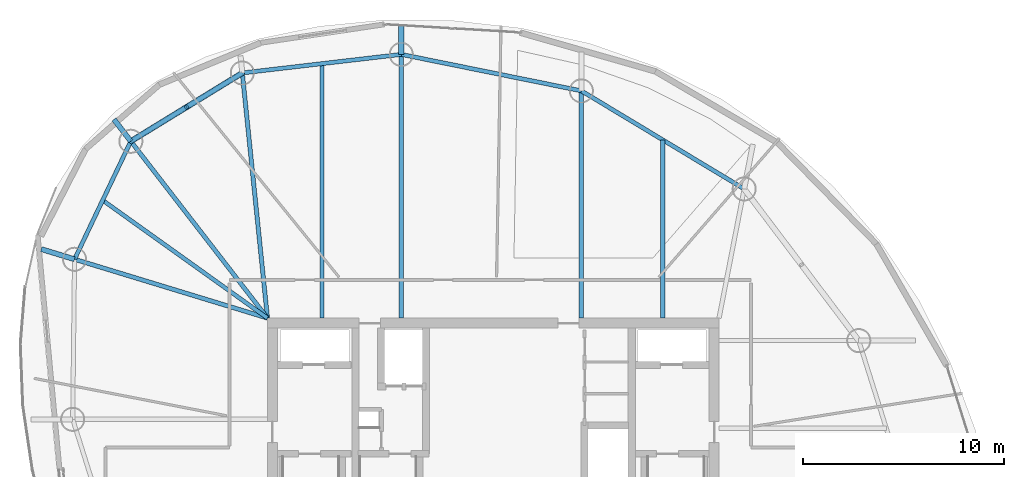
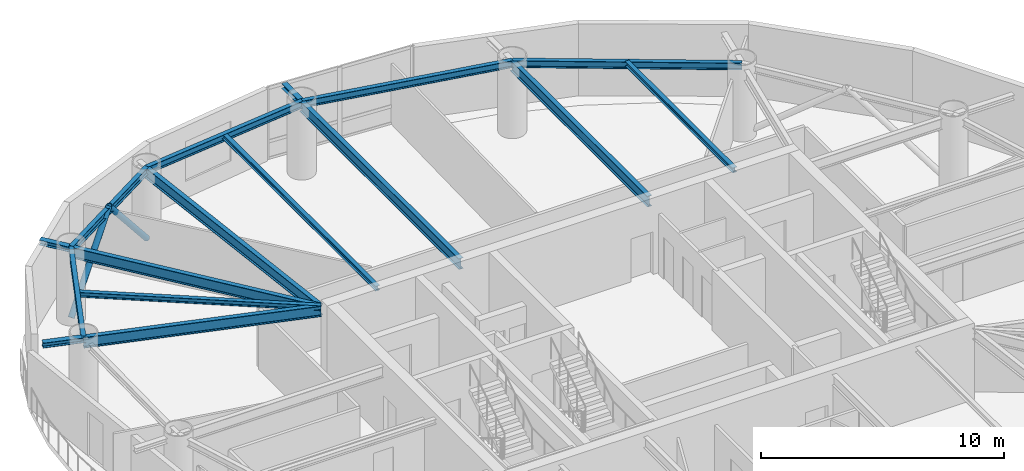
# One storey, part 10 of 18: 16 beams, 2 members.
"""IFC4 building model written with IfcOpenShell, lengths in metres."""

from ifc_helpers import new_model, si_unit, direction, frame, origin, origin_2d, place, context, subcontext, project, spatial, hollow_circle, i_section, extrude, material, material_profile, profile_set, type_object, element, save


model = new_model("IFC4")

# Units and contexts
model_context = context("Model", 3, precision=1e-05, world=origin(), true_north=direction((0.0, 1.0)))
body_context = subcontext(model_context, "Body", "Model", "MODEL_VIEW")
ifc_project = project(units=[si_unit("LENGTHUNIT", "METRE"), si_unit("AREAUNIT", "SQUARE_METRE"), si_unit("VOLUMEUNIT", "CUBIC_METRE"), si_unit("PLANEANGLEUNIT", "RADIAN"), si_unit("MASSUNIT", "GRAM", prefix="KILO")], contexts=[model_context])

# Site, building, storey
site_placement = place(None, origin())
site = spatial("IfcSite", under=ifc_project, at=site_placement, CompositionType="ELEMENT")
building_placement = place(site_placement, origin())
building = spatial("IfcBuilding", under=site, at=building_placement, Name="Bramvorn Convention Spire", CompositionType="ELEMENT")
storey_placement = place(building_placement, frame((0.0, 0.0, 182.75)))
storey = spatial("IfcBuildingStorey", under=building, at=storey_placement, Name="L46", CompositionType="ELEMENT", Elevation=182.75)

# Beams
ifc_material = material(Name="Steel CSA G40.21 Grade 350 (350W)", Category="steel")
ifc_material_profile_1 = material_profile(ifc_material, i_section(OverallWidth=0.201904296875, OverallDepth=0.2470703125, WebThickness=0.00732421875, FlangeThickness=0.010986328125, FilletRadius=0.011962890625, at=origin_2d()))
ifc_profile_set_1 = profile_set([ifc_material_profile_1], Name="Steel CSA G40.21 Grade 350 (350W) - W250X49")
beam_type_1 = type_object("IfcBeamType", Name="BM-W250X49", PredefinedType="JOIST", material=ifc_profile_set_1)
beam_1_placement = place(storey_placement, frame((46.445556640625, 33.449951171875, 3.49658203125), z_axis=(0.0, 1.0, 0.0), x_axis=(-1.0, 0.0, 0.0)))
element("IfcBeam", 1, at=beam_1_placement, inside=storey, type_object=beam_type_1, Name="L46 composite floor joist 05", PredefinedType="JOIST", context=body_context, shape_type="SweptSolid", body=[
    extrude(i_section(OverallWidth=0.201904296875, OverallDepth=0.2470703125, WebThickness=0.00732421875, FlangeThickness=0.010986328125, FilletRadius=0.011962890625, at=origin_2d()), origin(), (0.0, 0.0, 1.0), 8.878662109375),
])
beam_2_placement = place(storey_placement, frame((29.455810546875, 33.449951171875, 3.49658203125), z_axis=(0.0, 1.0, 0.0), x_axis=(-1.0, 0.0, 0.0)))
element("IfcBeam", 2, at=beam_2_placement, inside=storey, type_object=beam_type_1, Name="L46 composite floor joist 07", PredefinedType="JOIST", context=body_context, shape_type="SweptSolid", body=[
    extrude(i_section(OverallWidth=0.201904296875, OverallDepth=0.2470703125, WebThickness=0.00732421875, FlangeThickness=0.010986328125, FilletRadius=0.011962890625, at=origin_2d()), origin(), (0.0, 0.0, 1.0), 12.676025390625),
])
beam_3_placement = place(storey_placement, frame((26.75, 33.449951171875, 3.49658203125), z_axis=(-0.813471895271, 0.581604225916, 0.0), x_axis=(-0.581604225916, -0.813471895271, 0.0)))
element("IfcBeam", 3, at=beam_3_placement, inside=storey, type_object=beam_type_1, Name="L46 composite floor joist 09", PredefinedType="JOIST", context=body_context, shape_type="SweptSolid", body=[
    extrude(i_section(OverallWidth=0.201904296875, OverallDepth=0.2470703125, WebThickness=0.00732421875, FlangeThickness=0.010986328125, FilletRadius=0.011962890625, at=origin_2d()), origin(), (0.0, 0.0, 1.0), 10.093505859375),
])
ifc_material_profile_2 = material_profile(ifc_material, i_section(OverallWidth=0.25390625, OverallDepth=0.2529296875, WebThickness=0.008544921875, FlangeThickness=0.01416015625, FilletRadius=0.011962890625, at=origin_2d()))
ifc_profile_set_2 = profile_set([ifc_material_profile_2], Name="Steel CSA G40.21 Grade 350 (350W) - W250X73")
beam_type_2 = type_object("IfcBeamType", Name="BM-W250X73", PredefinedType="BEAM", material=ifc_profile_set_2)
beam_4_placement = place(storey_placement, frame((33.416259765625, 46.58837890625, 3.493408203125), z_axis=(0.0, 1.0, 0.0), x_axis=(-1.0, 0.0, 0.0)))
element("IfcBeam", 4, at=beam_4_placement, inside=storey, type_object=beam_type_2, Name="L46 slab-edge cantilever tip beam MC07", PredefinedType="BEAM", context=body_context, shape_type="SweptSolid", body=[
    extrude(i_section(OverallWidth=0.25390625, OverallDepth=0.2529296875, WebThickness=0.008544921875, FlangeThickness=0.01416015625, FilletRadius=0.011962890625, at=origin_2d()), origin(), (0.0, 0.0, 1.0), 1.453369140625),
])
beam_5_placement = place(storey_placement, frame((19.941650390625, 42.260009765625, 3.493408203125), z_axis=(-0.611477837044, 0.791261559034, 0.0), x_axis=(-0.791261559034, -0.611477837044, 0.0)))
element("IfcBeam", 5, at=beam_5_placement, inside=storey, type_object=beam_type_2, Name="L46 slab-edge cantilever tip beam MC09", PredefinedType="BEAM", context=body_context, shape_type="SweptSolid", body=[
    extrude(i_section(OverallWidth=0.25390625, OverallDepth=0.2529296875, WebThickness=0.008544921875, FlangeThickness=0.01416015625, FilletRadius=0.011962890625, at=origin_2d()), origin(), (0.0, 0.0, 1.0), 1.374267578125),
])
beam_6_placement = place(storey_placement, frame((17.136962890625, 36.380615234375, 3.493408203125), z_axis=(-0.956549265028, 0.291570752262, 0.0), x_axis=(-0.291570752262, -0.956549265028, 0.0)))
element("IfcBeam", 6, at=beam_6_placement, inside=storey, type_object=beam_type_2, Name="L46 slab-edge cantilever tip beam MC10", PredefinedType="BEAM", context=body_context, shape_type="SweptSolid", body=[
    extrude(i_section(OverallWidth=0.25390625, OverallDepth=0.2529296875, WebThickness=0.008544921875, FlangeThickness=0.01416015625, FilletRadius=0.011962890625, at=origin_2d()), origin(), (0.0, 0.0, 1.0), 1.733154296875),
])
ifc_material_profile_3 = material_profile(ifc_material, i_section(OverallWidth=0.205078125, OverallDepth=0.35400390625, WebThickness=0.009521484375, FlangeThickness=0.016845703125, FilletRadius=0.014892578125, at=origin_2d()))
ifc_profile_set_3 = profile_set([ifc_material_profile_3], Name="Steel CSA G40.21 Grade 350 (350W) - W360X79")
beam_type_3 = type_object("IfcBeamType", Name="BM-W360X79", PredefinedType="JOIST", material=ifc_profile_set_3)
beam_7_placement = place(storey_placement, frame((50.501953125, 39.885009765625, 3.443115234375), z_axis=(-0.856581795745, 0.516011266543, 0.0), x_axis=(-0.516011266543, -0.856581795745, 0.0)))
element("IfcBeam", 7, at=beam_7_placement, inside=storey, type_object=beam_type_3, Name="L46 mega-column ring beam 05", PredefinedType="JOIST", context=body_context, shape_type="SweptSolid", body=[
    extrude(i_section(OverallWidth=0.205078125, OverallDepth=0.35400390625, WebThickness=0.009521484375, FlangeThickness=0.016845703125, FilletRadius=0.014892578125, at=origin_2d()), origin(), (0.0, 0.0, 1.0), 9.47119140625),
])
beam_8_placement = place(storey_placement, frame((42.38916015625, 44.772216796875, 3.443115234375), z_axis=(-0.980124701676, 0.198382381187, 0.0), x_axis=(-0.198382381187, -0.980124701676, 0.0)))
element("IfcBeam", 8, at=beam_8_placement, inside=storey, type_object=beam_type_3, Name="L46 mega-column ring beam 06", PredefinedType="JOIST", context=body_context, shape_type="SweptSolid", body=[
    extrude(i_section(OverallWidth=0.205078125, OverallDepth=0.35400390625, WebThickness=0.009521484375, FlangeThickness=0.016845703125, FilletRadius=0.014892578125, at=origin_2d()), origin(), (0.0, 0.0, 1.0), 9.15478515625),
])
beam_9_placement = place(storey_placement, frame((33.416259765625, 46.58837890625, 3.443115234375), z_axis=(-0.993256148339, -0.115940604561, 0.0), x_axis=(0.115940604561, -0.993256148339, 0.0)))
element("IfcBeam", 9, at=beam_9_placement, inside=storey, type_object=beam_type_3, Name="L46 mega-column ring beam 07", PredefinedType="JOIST", context=body_context, shape_type="SweptSolid", body=[
    extrude(i_section(OverallWidth=0.205078125, OverallDepth=0.35400390625, WebThickness=0.009521484375, FlangeThickness=0.016845703125, FilletRadius=0.014892578125, at=origin_2d()), origin(), (0.0, 0.0, 1.0), 7.974365234375),
])
beam_10_placement = place(storey_placement, frame((25.49560546875, 45.663818359375, 3.443115234375), z_axis=(-0.852616873135, -0.522536570629, 0.0), x_axis=(0.522536570629, -0.852616873135, 0.0)))
element("IfcBeam", 10, at=beam_10_placement, inside=storey, type_object=beam_type_3, Name="L46 mega-column ring beam 08", PredefinedType="JOIST", context=body_context, shape_type="SweptSolid", body=[
    extrude(i_section(OverallWidth=0.205078125, OverallDepth=0.35400390625, WebThickness=0.009521484375, FlangeThickness=0.016845703125, FilletRadius=0.014892578125, at=origin_2d()), origin(), (0.0, 0.0, 1.0), 6.513916015625),
])
beam_11_placement = place(storey_placement, frame((19.941650390625, 42.260009765625, 3.443115234375), z_axis=(-0.430556138422, -0.902563799223, 0.0), x_axis=(0.902563799223, -0.430556138422, 0.0)))
element("IfcBeam", 11, at=beam_11_placement, inside=storey, type_object=beam_type_3, Name="L46 mega-column ring beam 09", PredefinedType="JOIST", context=body_context, shape_type="SweptSolid", body=[
    extrude(i_section(OverallWidth=0.205078125, OverallDepth=0.35400390625, WebThickness=0.009521484375, FlangeThickness=0.016845703125, FilletRadius=0.014892578125, at=origin_2d()), origin(), (0.0, 0.0, 1.0), 6.51416015625),
])
ifc_material_profile_4 = material_profile(ifc_material, i_section(OverallWidth=0.2119140625, OverallDepth=0.5439453125, WebThickness=0.01318359375, FlangeThickness=0.021240234375, FilletRadius=0.01904296875, at=origin_2d()))
ifc_profile_set_4 = profile_set([ifc_material_profile_4], Name="Steel CSA G40.21 Grade 350 (350W) - W530X123")
beam_type_4 = type_object("IfcBeamType", Name="BM-W530X123", PredefinedType="BEAM", material=ifc_profile_set_4)
beam_12_placement = place(storey_placement, frame((42.38916015625, 33.449951171875, 3.347900390625), z_axis=(0.0, 1.0, 0.0), x_axis=(-1.0, 0.0, 0.0)))
element("IfcBeam", 12, at=beam_12_placement, inside=storey, type_object=beam_type_4, Name="L46 radial floor girder MC06", PredefinedType="BEAM", context=body_context, shape_type="SweptSolid", body=[
    extrude(i_section(OverallWidth=0.2119140625, OverallDepth=0.5439453125, WebThickness=0.01318359375, FlangeThickness=0.021240234375, FilletRadius=0.01904296875, at=origin_2d()), origin(), (0.0, 0.0, 1.0), 11.322265625),
])
beam_13_placement = place(storey_placement, frame((33.416259765625, 33.449951171875, 3.347900390625), z_axis=(0.0, 1.0, 0.0), x_axis=(-1.0, 0.0, 0.0)))
element("IfcBeam", 13, at=beam_13_placement, inside=storey, type_object=beam_type_4, Name="L46 radial floor girder MC07", PredefinedType="BEAM", context=body_context, shape_type="SweptSolid", body=[
    extrude(i_section(OverallWidth=0.2119140625, OverallDepth=0.5439453125, WebThickness=0.01318359375, FlangeThickness=0.021240234375, FilletRadius=0.01904296875, at=origin_2d()), origin(), (0.0, 0.0, 1.0), 13.138427734375),
])
beam_14_placement = place(storey_placement, frame((26.75, 33.449951171875, 3.347900390625), z_axis=(-0.10216509146, 0.994767457292, 0.0), x_axis=(-0.994767457292, -0.10216509146, 0.0)))
element("IfcBeam", 14, at=beam_14_placement, inside=storey, type_object=beam_type_4, Name="L46 radial floor girder MC08", PredefinedType="BEAM", context=body_context, shape_type="SweptSolid", body=[
    extrude(i_section(OverallWidth=0.2119140625, OverallDepth=0.5439453125, WebThickness=0.01318359375, FlangeThickness=0.021240234375, FilletRadius=0.01904296875, at=origin_2d()), origin(), (0.0, 0.0, 1.0), 12.278076171875),
])
beam_15_placement = place(storey_placement, frame((26.75, 33.449951171875, 3.347900390625), z_axis=(-0.611479951477, 0.791259925019, 0.0), x_axis=(-0.791259925019, -0.611479951477, 0.0)))
element("IfcBeam", 15, at=beam_15_placement, inside=storey, type_object=beam_type_4, Name="L46 radial floor girder MC09", PredefinedType="BEAM", context=body_context, shape_type="SweptSolid", body=[
    extrude(i_section(OverallWidth=0.2119140625, OverallDepth=0.5439453125, WebThickness=0.01318359375, FlangeThickness=0.021240234375, FilletRadius=0.01904296875, at=origin_2d()), origin(), (0.0, 0.0, 1.0), 11.13427734375),
])
beam_16_placement = place(storey_placement, frame((26.75, 33.449951171875, 3.347900390625), z_axis=(-0.95653637984, 0.291613021044, 0.0), x_axis=(-0.291613021044, -0.95653637984, 0.0)))
element("IfcBeam", 16, at=beam_16_placement, inside=storey, type_object=beam_type_4, Name="L46 radial floor girder MC10", PredefinedType="BEAM", context=body_context, shape_type="SweptSolid", body=[
    extrude(i_section(OverallWidth=0.2119140625, OverallDepth=0.5439453125, WebThickness=0.01318359375, FlangeThickness=0.021240234375, FilletRadius=0.01904296875, at=origin_2d()), origin(), (0.0, 0.0, 1.0), 10.0498046875),
])

# Members
ifc_material_profile_5 = material_profile(ifc_material, hollow_circle(Radius=0.136474609375, WallThickness=0.0126953125, at=origin_2d()))
ifc_profile_set_5 = profile_set([ifc_material_profile_5], Name="Steel CSA G40.21 Grade 350 (350W) - CHS273X13")
member_type = type_object("IfcMemberType", Name="MBR-CHS273X13", PredefinedType="BRACE", material=ifc_profile_set_5)
for number, where, z_axis, x_axis, name in (
    (17, (25.49560546875, 45.663818359375, 0.0), (-0.570281085842, -0.349488303244, 0.743395862933), (0.522519873149, -0.852627106163, 0.0), "L46 perimeter Gothic lancet brace 8A"),
    (18, (19.941650390625, 42.260009765625, 0.0), (0.570247254591, 0.349498295389, 0.743417117204), (-0.522553268977, 0.852606639126, 0.0), "L46 perimeter Gothic lancet brace 8B"),
):
    element("IfcMember", number, at=place(storey_placement, frame(where, z_axis=z_axis, x_axis=x_axis)), inside=storey, type_object=member_type, Name=name, PredefinedType="BRACE", context=body_context, shape_type="SweptSolid", body=[
        extrude(hollow_circle(Radius=0.136474609375, WallThickness=0.0126953125, at=origin_2d()), origin(), (0.0, 0.0, 1.0), 4.86962890625),
    ])

save(model, "model.ifc")
